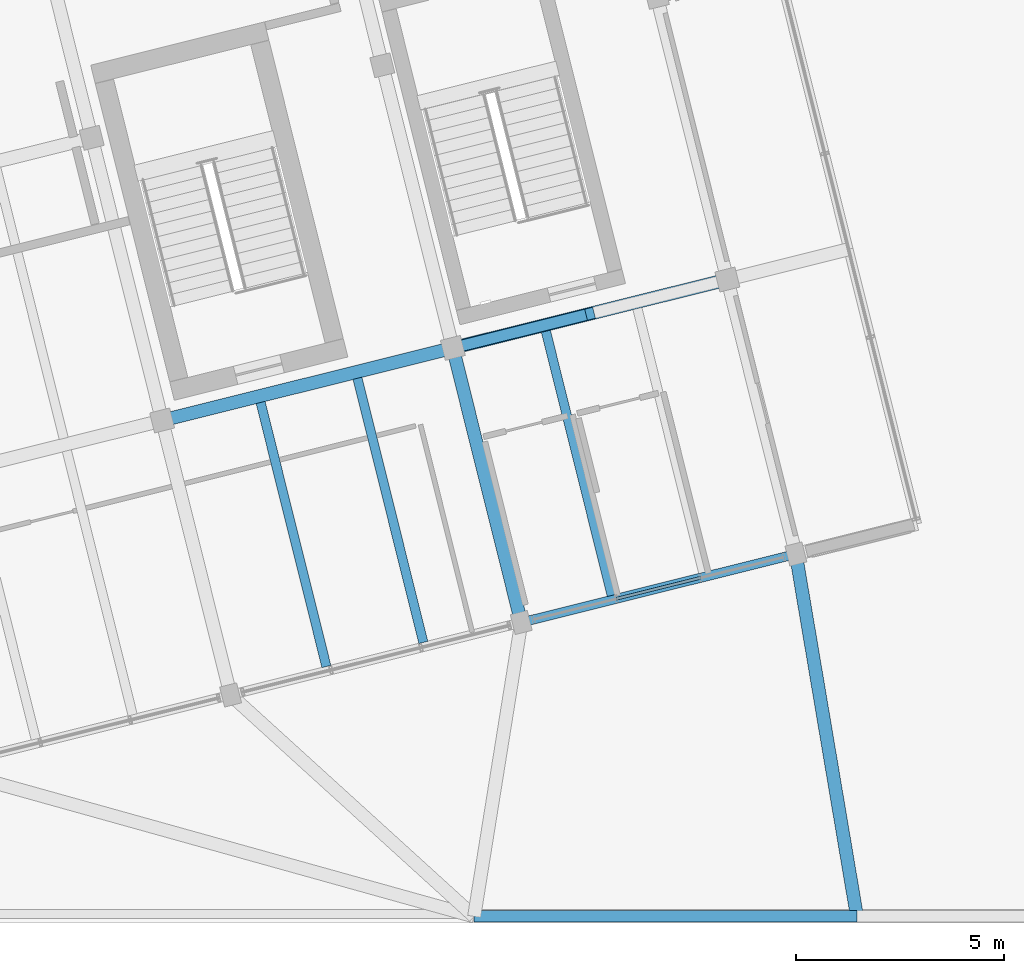
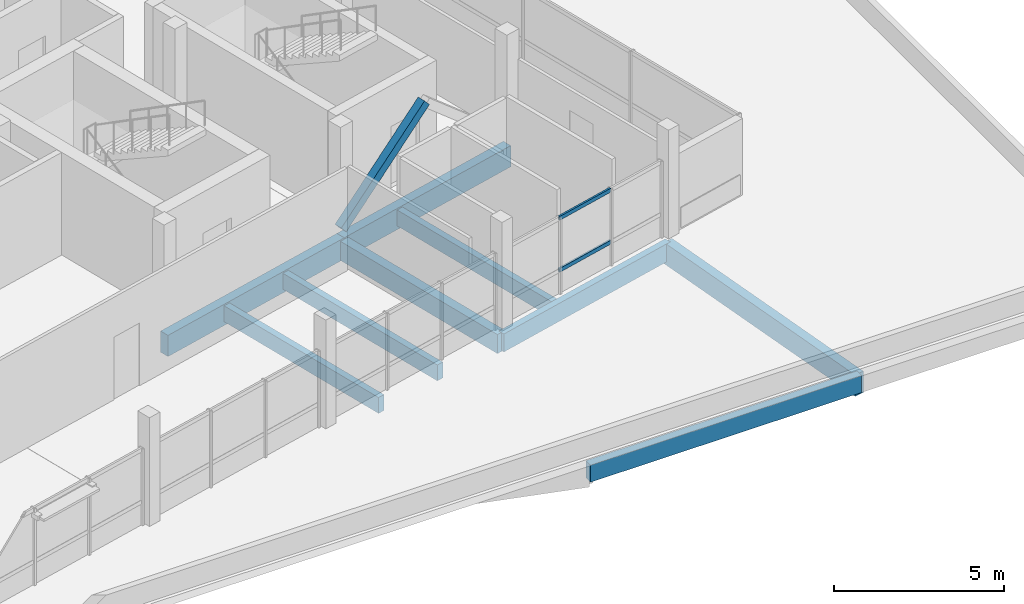
# One storey, part 13 of 37: 9 beams, 3 members, 1 element without a shape of its own.
"""IFC4 building model written with IfcOpenShell, lengths in metres."""

from ifc_helpers import new_model, si_unit, direction, frame, origin, origin_2d, place, context, subcontext, project, spatial, rectangle, hollow_rectangle, extrude, material, layer, layer_set, material_profile, profile_set, type_object, element, aggregate, save


model = new_model("IFC4")

# Units and contexts
model_context = context("Model", 3, precision=1e-05, world=origin(), true_north=direction((0.0, 1.0)))
body_context = subcontext(model_context, "Body", "Model", "MODEL_VIEW")
ifc_project = project(units=[si_unit("LENGTHUNIT", "METRE"), si_unit("AREAUNIT", "SQUARE_METRE"), si_unit("VOLUMEUNIT", "CUBIC_METRE"), si_unit("PLANEANGLEUNIT", "RADIAN"), si_unit("MASSUNIT", "GRAM", prefix="KILO")], contexts=[model_context])

# Site, building, storey
site_placement = place(None, origin())
site = spatial("IfcSite", under=ifc_project, at=site_placement, CompositionType="ELEMENT")
building_placement = place(site_placement, origin())
building = spatial("IfcBuilding", under=site, at=building_placement, Name="Meriwether Solvik Hall", CompositionType="ELEMENT")
storey_placement = place(building_placement, frame((0.0, 0.0, 26.10009765625)))
storey = spatial("IfcBuildingStorey", under=building, at=storey_placement, Name="L06", CompositionType="ELEMENT", Elevation=26.10009765625)

# Beams
ifc_material_1 = material(Name="Glulam Douglas-Fir 24F-V8 GL28h", Category="wood")
ifc_material_profile_1 = material_profile(ifc_material_1, rectangle(XDim=0.221923828125, YDim=0.64501953125, at=origin_2d()), Name="GLB-222X645")
ifc_profile_set_1 = profile_set([ifc_material_profile_1], Name="Glulam Douglas-Fir 24F-V8 GL28h")
beam_type_1 = type_object("IfcBeamType", Name="BM-GL-222X645", PredefinedType="SPANDREL", material=ifc_profile_set_1)
beam_1_placement = place(storey_placement, frame((96.9326171875, 48.26416015625, -0.592529296875), z_axis=(0.970298579828, 0.24191045034, 0.0), x_axis=(-0.24191045034, 0.970298579828, 0.0)))
element("IfcBeam", 1, at=beam_1_placement, inside=storey, type_object=beam_type_1, Name="Tower Girder TA:T5-T6 (L06)", PredefinedType="SPANDREL", context=body_context, shape_type="SweptSolid", body=[
    extrude(rectangle(XDim=0.221923828125, YDim=0.64501953125, at=origin_2d()), origin(), (0.0, 0.0, 1.0), 6.800048828125),
])
ifc_material_2 = material(Name="Glulam Douglas-Fir 24F-V8 GL28h", Category="wood")
ifc_material_profile_2 = material_profile(ifc_material_2, rectangle(XDim=0.27294921875, YDim=0.610107421875, at=origin_2d()), Name="GLB-273X610")
ifc_profile_set_2 = profile_set([ifc_material_profile_2], Name="Glulam Douglas-Fir 24F-V8 GL28h")
beam_type_2 = type_object("IfcBeamType", Name="BM-GL-273X610", PredefinedType="SPANDREL", material=ifc_profile_set_2)
beam_2_placement = place(storey_placement, frame((95.800048828125, 41.199951171875, -0.5751953125), z_axis=(1.0, 0.0, 0.0), x_axis=(0.0, 1.0, 0.0)))
element("IfcBeam", 2, at=beam_2_placement, inside=storey, type_object=beam_type_2, Name="Podium Girder E:11-12 (L06)", PredefinedType="SPANDREL", context=body_context, shape_type="SweptSolid", body=[
    extrude(rectangle(XDim=0.27294921875, YDim=0.610107421875, at=origin_2d()), origin(), (0.0, 0.0, 1.0), 9.199951171875),
])
ifc_material_3 = material(Name="Glulam Douglas-Fir 24F-V8 GL28h", Category="wood")
ifc_material_profile_3 = material_profile(ifc_material_3, rectangle(XDim=0.31494140625, YDim=0.68505859375, at=origin_2d()), Name="GLB-315X685")
ifc_profile_set_3 = profile_set([ifc_material_profile_3], Name="Glulam Douglas-Fir 24F-V8 GL28h")
beam_type_3 = type_object("IfcBeamType", Name="BM-GL-315X685", PredefinedType="BEAM", material=ifc_profile_set_3)
beam_3_placement = place(storey_placement, frame((96.9326171875, 48.26416015625, -0.612548828125), z_axis=(-0.241918877831, 0.970296478685, 0.0), x_axis=(-0.970296478685, -0.241918877831, 0.0)))
element("IfcBeam", 3, at=beam_3_placement, inside=storey, type_object=beam_type_3, Name="Tower Girder T5:TA-TB (L06)", PredefinedType="BEAM", context=body_context, shape_type="SweptSolid", body=[
    extrude(rectangle(XDim=0.31494140625, YDim=0.68505859375, at=origin_2d()), origin(), (0.0, 0.0, 1.0), 6.7998046875),
])
ifc_material_4 = material(Name="Glulam Douglas-Fir 24F-V8 GL28h", Category="wood")
ifc_material_profile_4 = material_profile(ifc_material_4, rectangle(XDim=0.31494140625, YDim=0.760009765625, at=origin_2d()), Name="GLB-315X760")
ifc_profile_set_4 = profile_set([ifc_material_profile_4], Name="Glulam Douglas-Fir 24F-V8 GL28h")
beam_type_4 = type_object("IfcBeamType", Name="BM-GL-315X760", PredefinedType="BEAM", material=ifc_profile_set_4)
beam_4_placement = place(storey_placement, frame((103.53076171875, 49.9091796875, -0.650146484375), z_axis=(0.166348535765, -0.986067018335, 0.0), x_axis=(0.986067018335, 0.166348535765, 0.0)))
element("IfcBeam", 4, at=beam_4_placement, inside=storey, type_object=beam_type_4, Name="Diaphragm Collector Girder T6/TA-12/E (L06)", PredefinedType="BEAM", context=body_context, shape_type="SweptSolid", body=[
    extrude(rectangle(XDim=0.31494140625, YDim=0.760009765625, at=origin_2d()), origin(), (0.0, 0.0, 1.0), 8.832275390625),
])
beam_5_placement = place(storey_placement, frame((88.301513671875, 53.120361328125, -0.60009765625), z_axis=(0.970299871507, 0.241905269381, 0.0), x_axis=(-0.241905269381, 0.970299871507, 0.0)))
element("IfcBeam", 5, at=beam_5_placement, inside=storey, type_object=beam_type_4, Name="Tower Girder TB:T4-T5 (L06)", PredefinedType="BEAM", context=body_context, shape_type="SweptSolid", body=[
    extrude(rectangle(XDim=0.31494140625, YDim=0.760009765625, at=origin_2d()), origin(), (0.0, 0.0, 1.0), 7.199951171875),
])
beam_6_placement = place(storey_placement, frame((95.28759765625, 54.862060546875, -0.60009765625), z_axis=(0.970296478685, 0.241918877831, 0.0), x_axis=(-0.241918877831, 0.970296478685, 0.0)))
element("IfcBeam", 6, at=beam_6_placement, inside=storey, type_object=beam_type_4, Name="Tower Girder TB:T5-T6 (L06)", PredefinedType="BEAM", context=body_context, shape_type="SweptSolid", body=[
    extrude(rectangle(XDim=0.31494140625, YDim=0.760009765625, at=origin_2d()), origin(), (0.0, 0.0, 1.0), 6.7998046875),
])

# Curtain wall, members
ifc_material_5 = material(Name="Thermally Broken Anodised Aluminium 6063-T6 and Low-E Glass", Category="aluminium")
ifc_layer = layer(ifc_material_5, 0.179931640625)
ifc_layer_set = layer_set([ifc_layer], Name="Thermally Broken Anodised Aluminium 6063-T6 and Low-E Glass")
curtain_wall_type = type_object("IfcCurtainWallType", Name="CW-UNIT-A", PredefinedType="USERDEFINED", material=ifc_layer_set)
curtain_wall_placement = place(storey_placement, origin())
curtain_wall = element("IfcCurtainWall", 7, at=curtain_wall_placement, inside=storey, type_object=curtain_wall_type, Name="Curtain Wall E0_B4 (L06)", ObjectType="UNITISED CURTAIN WALL", PredefinedType="USERDEFINED")
ifc_material_6 = material(Name="Anodised Aluminium 6063-T6", Category="aluminium")
ifc_material_profile_5 = material_profile(ifc_material_6, hollow_rectangle(XDim=0.06494140625, YDim=0.139892578125, WallThickness=0.00439453125, at=origin_2d()), Name="CWT-65X140")
ifc_profile_set_5 = profile_set([ifc_material_profile_5], Name="Anodised Aluminium 6063-T6")
member_type_1 = type_object("IfcMemberType", Name="CW-TRN-65X140", PredefinedType="USERDEFINED", material=ifc_profile_set_5)
member_1_placement = place(storey_placement, frame((101.247314453125, 49.33984375, 0.824951171875), z_axis=(-0.970313743282, -0.241849621868, 0.0), x_axis=(0.241849621868, -0.970313743282, 0.0)))
member_1 = element("IfcMember", 8, at=member_1_placement, type_object=member_type_1, Name="Curtain Wall Transom 2-sill", ObjectType="TRANSOM", PredefinedType="USERDEFINED", context=body_context, shape_type="SweptSolid", body=[
    extrude(hollow_rectangle(XDim=0.06494140625, YDim=0.139892578125, WallThickness=0.00439453125, at=origin_2d()), origin(), (0.0, 0.0, 1.0), 2.09375),
])
member_2_placement = place(storey_placement, frame((101.247314453125, 49.33984375, 2.68994140625), z_axis=(-0.970313743282, -0.241849621868, 0.0), x_axis=(0.241849621868, -0.970313743282, 0.0)))
member_2 = element("IfcMember", 9, at=member_2_placement, type_object=member_type_1, Name="Curtain Wall Transom 2-head", ObjectType="TRANSOM", PredefinedType="USERDEFINED", context=body_context, shape_type="SweptSolid", body=[
    extrude(hollow_rectangle(XDim=0.06494140625, YDim=0.139892578125, WallThickness=0.00439453125, at=origin_2d()), origin(), (0.0, 0.0, 1.0), 2.09375),
])
aggregate(curtain_wall, [member_1, member_2])

# Beams
ifc_material_7 = material(Name="Glulam Douglas-Fir 24F-V8 GL28h", Category="wood")
ifc_material_profile_6 = material_profile(ifc_material_7, rectangle(XDim=0.221923828125, YDim=0.570068359375, at=origin_2d()), Name="GLJ-222X570")
ifc_profile_set_6 = profile_set([ifc_material_profile_6], Name="Glulam Douglas-Fir 24F-V8 GL28h")
beam_type_5 = type_object("IfcBeamType", Name="JST-GL-222X570", PredefinedType="JOIST", material=ifc_profile_set_6)
for number, where, z_axis, x_axis, name in (
    (10, (92.24951171875, 47.205810546875, -0.55517578125), (-0.241920861923, 0.970295984, 0.0), (-0.970295984, -0.241920861923, 0.0), "Glulam Floor Joist T4/TA-J1 (L06)"),
    (11, (94.578369140625, 47.786376953125, -0.55517578125), (-0.241920861923, 0.970295984, 0.0), (-0.970295984, -0.241920861923, 0.0), "Glulam Floor Joist T4/TA-J2 (L06)"),
    (12, (99.1064453125, 48.915283203125, -0.55517578125), (-0.241920861923, 0.970295984, 0.0), (-0.970295984, -0.241920861923, 0.0), "Glulam Floor Joist T5/TA-J1 (L06)"),
):
    element("IfcBeam", number, at=place(storey_placement, frame(where, z_axis=z_axis, x_axis=x_axis)), inside=storey, type_object=beam_type_5, Name=name, PredefinedType="JOIST", context=body_context, shape_type="SweptSolid", body=[
        extrude(rectangle(XDim=0.221923828125, YDim=0.570068359375, at=origin_2d()), origin(), (0.0, 0.0, 1.0), 6.54150390625),
    ])

# Member
ifc_material_8 = material(Name="Glulam Douglas-Fir 24F-V8 GL28h", Category="wood")
ifc_material_profile_7 = material_profile(ifc_material_8, rectangle(XDim=0.27294921875, YDim=0.304931640625, at=origin_2d()), Name="GLM-273X305")
ifc_profile_set_7 = profile_set([ifc_material_profile_7], Name="Glulam Douglas-Fir 24F-V8 GL28h")
member_type_2 = type_object("IfcMemberType", Name="MEM-BR-GL273", PredefinedType="BRACE", material=ifc_profile_set_7)
member_3_placement = place(storey_placement, frame((95.28759765625, 54.862060546875, 0.0498046875), z_axis=(0.737153200771, 0.183783699652, 0.650252804943), x_axis=(-0.24191045034, 0.970298579828, 0.0)))
element("IfcMember", 13, at=member_3_placement, inside=storey, type_object=member_type_2, Name="Tower Chevron Brace L06-B3A", PredefinedType="BRACE", context=body_context, shape_type="SweptSolid", body=[
    extrude(rectangle(XDim=0.27294921875, YDim=0.304931640625, at=origin_2d()), origin(), (0.0, 0.0, 1.0), 4.475341796875),
])

save(model, "model.ifc")
